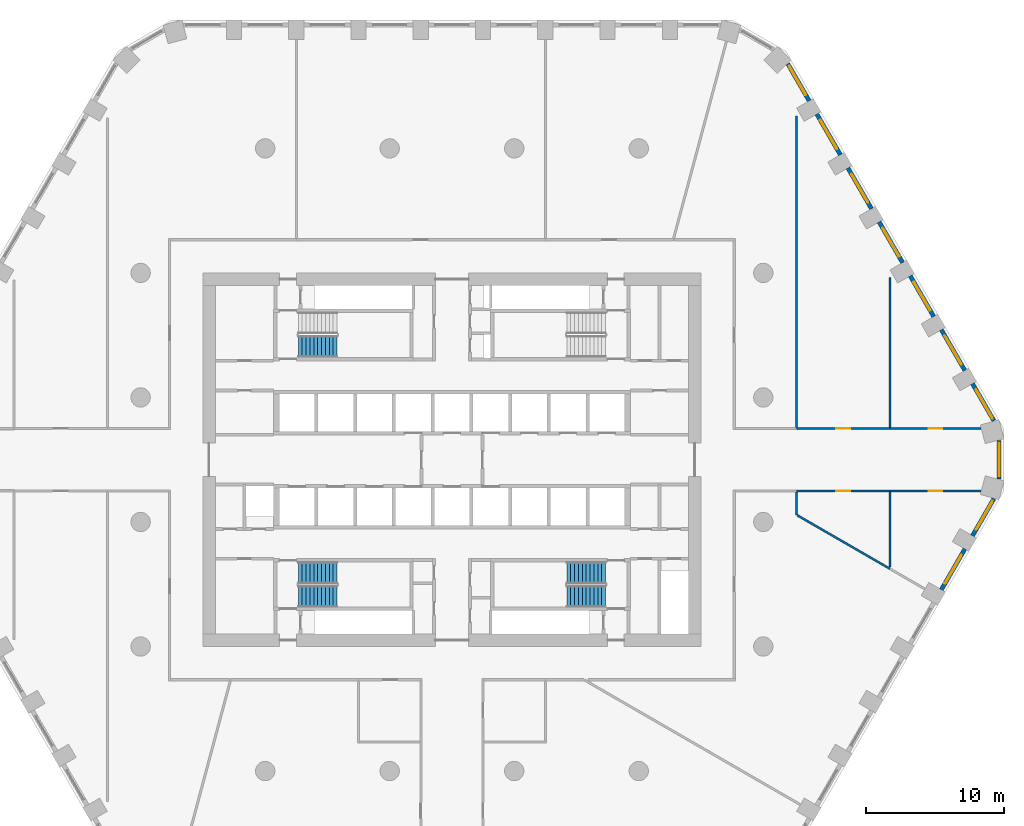
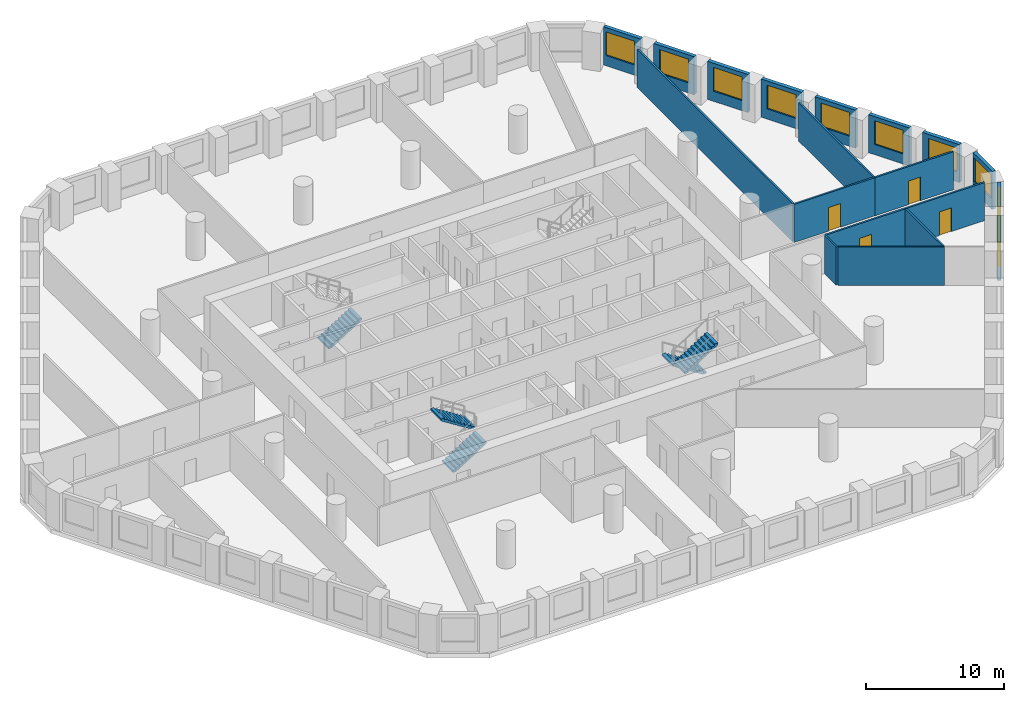
# One storey, part 8 of 10: 19 walls, 10 windows, 5 stair flights, 4 doors, 14 openings, 3 elements without a shape of their own.
"""IFC4 building model written with IfcOpenShell, lengths in metres."""

from ifc_helpers import new_model, si_unit, direction, frame, frame_2d, origin, place, context, subcontext, project, spatial, polyline, rectangle, outline, extrude, material, layer, layer_set, type_object, element, fill, aggregate, save


model = new_model("IFC4")

# Units and contexts
model_context = context("Model", 3, precision=1e-05, world=origin(), true_north=direction((0.0, 1.0)))
body_context = subcontext(model_context, "Body", "Model", "MODEL_VIEW")
ifc_project = project(units=[si_unit("LENGTHUNIT", "METRE"), si_unit("AREAUNIT", "SQUARE_METRE"), si_unit("VOLUMEUNIT", "CUBIC_METRE"), si_unit("PLANEANGLEUNIT", "RADIAN"), si_unit("MASSUNIT", "GRAM", prefix="KILO")], contexts=[model_context])

# Site, building, storey
site_placement = place(None, origin())
site = spatial("IfcSite", under=ifc_project, at=site_placement, CompositionType="ELEMENT")
building_placement = place(site_placement, origin())
building = spatial("IfcBuilding", under=site, at=building_placement, Name="Dhurran Vertical Campus", CompositionType="ELEMENT")
storey_placement = place(building_placement, frame((0.0, 0.0, 72.89990234375)))
storey = spatial("IfcBuildingStorey", under=building, at=storey_placement, Name="L17", CompositionType="ELEMENT", Elevation=72.89990234375)

# Wall, opening, window
ifc_material_1 = material(Name="Precast concrete C50/60", Category="concrete")
ifc_layer_1 = layer(ifc_material_1, 0.300048828125)
ifc_layer_set_1 = layer_set([ifc_layer_1], Name="Precast concrete C50/60")
wall_type_1 = type_object("IfcWallType", Name="Precast spandrel wall 300", PredefinedType="SOLIDWALL", material=ifc_layer_set_1)
wall_1_placement = place(storey_placement, frame((35.369384765625, -9.392578125, 0.0), z_axis=(0.0, 0.0, 1.0), x_axis=(0.499993955907, 0.866028893315, 0.0)))
wall_1 = element("IfcWall", 1, at=wall_1_placement, inside=storey, type_object=wall_type_1, Name="EW1 L17.15", PredefinedType="SOLIDWALL", context=body_context, shape_type="SweptSolid", body=[
    extrude(rectangle(XDim=3.39892578125, YDim=0.300048828125, at=frame_2d((1.699462890625, 0.0))), origin(), (0.0, 0.0, 1.0), 3.375),
])
opening_1_placement = place(wall_1_placement, frame((0.49951171875, 0.0, 0.89990234375)))
opening_1 = element("IfcOpeningElement", 2, at=opening_1_placement, cuts=wall_1, Name="Opening WT1", PredefinedType="OPENING", context=body_context, shape_type="SweptSolid", body=[
    extrude(rectangle(XDim=2.39990234375, YDim=2.10009765625, at=frame_2d((1.199951171875, 1.050048828125))), frame((0.0, 0.159912109375, 0.0), z_axis=(0.0, -1.0, 0.0), x_axis=(1.0, 0.0, 0.0)), (0.0, 0.0, 1.0), 0.320068359375),
])
ifc_material_2 = material(Name="Aluminium frame with solar-control glass", Category="aluminium")
window_type = type_object("IfcWindowType", Name="Punched window 2400 x 2100", PartitioningType="SINGLE_PANEL", PredefinedType="WINDOW", material=ifc_material_2)
window_1_placement = place(opening_1_placement, origin())
window_1 = element("IfcWindow", 3, at=window_1_placement, inside=storey, type_object=window_type, Name="WT1 L17.15", OverallHeight=2.10009765625, OverallWidth=2.39990234375, PartitioningType="SINGLE_PANEL", PredefinedType="WINDOW", context=body_context, shape_type="SweptSolid", body=[
    extrude(rectangle(XDim=2.39990234375, YDim=2.10009765625, at=frame_2d((1.199951171875, 1.050048828125))), frame((0.0, 0.030029296875, 0.0), z_axis=(0.0, -1.0, 0.0), x_axis=(1.0, 0.0, 0.0)), (0.0, 0.0, 1.0), 0.06005859375),
])
fill(opening_1, window_1)

wall_2_placement = place(storey_placement, frame((37.619384765625, -5.495361328125, 0.0), z_axis=(0.0, 0.0, 1.0), x_axis=(0.49997090907, 0.866042198789, 0.0)))
wall_2 = element("IfcWall", 4, at=wall_2_placement, inside=storey, type_object=wall_type_1, Name="EW1 L17.16", PredefinedType="SOLIDWALL", context=body_context, shape_type="SweptSolid", body=[
    extrude(rectangle(XDim=3.090576171875, YDim=0.300048828125, at=frame_2d((1.54541015625, 0.0))), origin(), (0.0, 0.0, 1.0), 3.375),
])
opening_2_placement = place(wall_2_placement, frame((0.49951171875, 0.0, 0.89990234375)))
opening_2 = element("IfcOpeningElement", 5, at=opening_2_placement, cuts=wall_2, Name="Opening WT1", PredefinedType="OPENING", context=body_context, shape_type="SweptSolid", body=[
    extrude(rectangle(XDim=2.39990234375, YDim=2.10009765625, at=frame_2d((1.199951171875, 1.050048828125))), frame((0.0, 0.159912109375, 0.0), z_axis=(0.0, -1.0, 0.0), x_axis=(1.0, 0.0, 0.0)), (0.0, 0.0, 1.0), 0.320068359375),
])
window_2_placement = place(opening_2_placement, origin())
window_2 = element("IfcWindow", 6, at=window_2_placement, inside=storey, type_object=window_type, Name="WT1 L17.16", OverallHeight=2.10009765625, OverallWidth=2.39990234375, PartitioningType="SINGLE_PANEL", PredefinedType="WINDOW", context=body_context, shape_type="SweptSolid", body=[
    extrude(rectangle(XDim=2.39990234375, YDim=2.10009765625, at=frame_2d((1.199951171875, 1.050048828125))), frame((0.0, 0.030029296875, 0.0), z_axis=(0.0, -1.0, 0.0), x_axis=(1.0, 0.0, 0.0)), (0.0, 0.0, 1.0), 0.06005859375),
])
fill(opening_2, window_2)

wall_3_placement = place(storey_placement, frame((39.547119140625, -1.39111328125, 0.0), z_axis=(0.0, 0.0, 1.0), x_axis=(0.0, 1.0, 0.0)))
wall_3 = element("IfcWall", 7, at=wall_3_placement, inside=storey, type_object=wall_type_1, Name="EW1 L17.17", PredefinedType="SOLIDWALL", context=body_context, shape_type="SweptSolid", body=[
    extrude(rectangle(XDim=2.7822265625, YDim=0.300048828125, at=frame_2d((1.39111328125, 0.0))), origin(), (0.0, 0.0, 1.0), 3.375),
])
opening_3_placement = place(wall_3_placement, frame((0.191162109375, 0.0, 0.89990234375)))
opening_3 = element("IfcOpeningElement", 8, at=opening_3_placement, cuts=wall_3, Name="Opening WT1", PredefinedType="OPENING", context=body_context, shape_type="SweptSolid", body=[
    extrude(rectangle(XDim=2.39990234375, YDim=2.10009765625, at=frame_2d((1.199951171875, 1.050048828125))), frame((0.0, 0.159912109375, 0.0), z_axis=(0.0, -1.0, 0.0), x_axis=(1.0, 0.0, 0.0)), (0.0, 0.0, 1.0), 0.320068359375),
])
window_3_placement = place(opening_3_placement, origin())
window_3 = element("IfcWindow", 9, at=window_3_placement, inside=storey, type_object=window_type, Name="WT1 L17.17", OverallHeight=2.10009765625, OverallWidth=2.39990234375, PartitioningType="SINGLE_PANEL", PredefinedType="WINDOW", context=body_context, shape_type="SweptSolid", body=[
    extrude(rectangle(XDim=2.39990234375, YDim=2.10009765625, at=frame_2d((1.199951171875, 1.050048828125))), frame((0.0, 0.030029296875, 0.0), z_axis=(0.0, -1.0, 0.0), x_axis=(1.0, 0.0, 0.0)), (0.0, 0.0, 1.0), 0.06005859375),
])
fill(opening_3, window_3)

wall_4_placement = place(storey_placement, frame((39.16455078125, 2.81884765625, 0.0), z_axis=(0.0, 0.0, 1.0), x_axis=(-0.49997090907, 0.866042198789, 0.0)))
wall_4 = element("IfcWall", 10, at=wall_4_placement, inside=storey, type_object=wall_type_1, Name="EW1 L17.18", PredefinedType="SOLIDWALL", context=body_context, shape_type="SweptSolid", body=[
    extrude(rectangle(XDim=3.090576171875, YDim=0.300048828125, at=frame_2d((1.54541015625, 0.0))), origin(), (0.0, 0.0, 1.0), 3.375),
])
opening_4_placement = place(wall_4_placement, frame((0.19091796875, 0.0, 0.89990234375)))
opening_4 = element("IfcOpeningElement", 11, at=opening_4_placement, cuts=wall_4, Name="Opening WT1", PredefinedType="OPENING", context=body_context, shape_type="SweptSolid", body=[
    extrude(rectangle(XDim=2.39990234375, YDim=2.10009765625, at=frame_2d((1.199951171875, 1.050048828125))), frame((0.0, 0.159912109375, 0.0), z_axis=(0.0, -1.0, 0.0), x_axis=(1.0, 0.0, 0.0)), (0.0, 0.0, 1.0), 0.320068359375),
])
window_4_placement = place(opening_4_placement, origin())
window_4 = element("IfcWindow", 12, at=window_4_placement, inside=storey, type_object=window_type, Name="WT1 L17.18", OverallHeight=2.10009765625, OverallWidth=2.39990234375, PartitioningType="SINGLE_PANEL", PredefinedType="WINDOW", context=body_context, shape_type="SweptSolid", body=[
    extrude(rectangle(XDim=2.39990234375, YDim=2.10009765625, at=frame_2d((1.199951171875, 1.050048828125))), frame((0.0, 0.030029296875, 0.0), z_axis=(0.0, -1.0, 0.0), x_axis=(1.0, 0.0, 0.0)), (0.0, 0.0, 1.0), 0.06005859375),
])
fill(opening_4, window_4)

wall_5_placement = place(storey_placement, frame((37.06884765625, 6.448974609375, 0.0), z_axis=(0.0, 0.0, 1.0), x_axis=(-0.499993955907, 0.866028893315, 0.0)))
wall_5 = element("IfcWall", 13, at=wall_5_placement, inside=storey, type_object=wall_type_1, Name="EW1 L17.19", PredefinedType="SOLIDWALL", context=body_context, shape_type="SweptSolid", body=[
    extrude(rectangle(XDim=3.39892578125, YDim=0.300048828125, at=frame_2d((1.699462890625, 0.0))), origin(), (0.0, 0.0, 1.0), 3.375),
])
opening_5_placement = place(wall_5_placement, frame((0.49951171875, 0.0, 0.89990234375)))
opening_5 = element("IfcOpeningElement", 14, at=opening_5_placement, cuts=wall_5, Name="Opening WT1", PredefinedType="OPENING", context=body_context, shape_type="SweptSolid", body=[
    extrude(rectangle(XDim=2.39990234375, YDim=2.10009765625, at=frame_2d((1.199951171875, 1.050048828125))), frame((0.0, 0.159912109375, 0.0), z_axis=(0.0, -1.0, 0.0), x_axis=(1.0, 0.0, 0.0)), (0.0, 0.0, 1.0), 0.320068359375),
])
window_5_placement = place(opening_5_placement, origin())
window_5 = element("IfcWindow", 15, at=window_5_placement, inside=storey, type_object=window_type, Name="WT1 L17.19", OverallHeight=2.10009765625, OverallWidth=2.39990234375, PartitioningType="SINGLE_PANEL", PredefinedType="WINDOW", context=body_context, shape_type="SweptSolid", body=[
    extrude(rectangle(XDim=2.39990234375, YDim=2.10009765625, at=frame_2d((1.199951171875, 1.050048828125))), frame((0.0, 0.030029296875, 0.0), z_axis=(0.0, -1.0, 0.0), x_axis=(1.0, 0.0, 0.0)), (0.0, 0.0, 1.0), 0.06005859375),
])
fill(opening_5, window_5)

wall_6_placement = place(storey_placement, frame((34.81884765625, 10.345947265625, 0.0), z_axis=(0.0, 0.0, 1.0), x_axis=(-0.499993955907, 0.866028893315, 0.0)))
wall_6 = element("IfcWall", 16, at=wall_6_placement, inside=storey, type_object=wall_type_1, Name="EW1 L17.20", PredefinedType="SOLIDWALL", context=body_context, shape_type="SweptSolid", body=[
    extrude(rectangle(XDim=3.39892578125, YDim=0.300048828125, at=frame_2d((1.699462890625, 0.0))), origin(), (0.0, 0.0, 1.0), 3.375),
])
opening_6_placement = place(wall_6_placement, frame((0.49951171875, 0.0, 0.89990234375)))
opening_6 = element("IfcOpeningElement", 17, at=opening_6_placement, cuts=wall_6, Name="Opening WT1", PredefinedType="OPENING", context=body_context, shape_type="SweptSolid", body=[
    extrude(rectangle(XDim=2.39990234375, YDim=2.10009765625, at=frame_2d((1.199951171875, 1.050048828125))), frame((0.0, 0.159912109375, 0.0), z_axis=(0.0, -1.0, 0.0), x_axis=(1.0, 0.0, 0.0)), (0.0, 0.0, 1.0), 0.320068359375),
])
window_6_placement = place(opening_6_placement, origin())
window_6 = element("IfcWindow", 18, at=window_6_placement, inside=storey, type_object=window_type, Name="WT1 L17.20", OverallHeight=2.10009765625, OverallWidth=2.39990234375, PartitioningType="SINGLE_PANEL", PredefinedType="WINDOW", context=body_context, shape_type="SweptSolid", body=[
    extrude(rectangle(XDim=2.39990234375, YDim=2.10009765625, at=frame_2d((1.199951171875, 1.050048828125))), frame((0.0, 0.030029296875, 0.0), z_axis=(0.0, -1.0, 0.0), x_axis=(1.0, 0.0, 0.0)), (0.0, 0.0, 1.0), 0.06005859375),
])
fill(opening_6, window_6)

wall_7_placement = place(storey_placement, frame((32.56884765625, 14.2431640625, 0.0), z_axis=(0.0, 0.0, 1.0), x_axis=(-0.499993955907, 0.866028893315, 0.0)))
wall_7 = element("IfcWall", 19, at=wall_7_placement, inside=storey, type_object=wall_type_1, Name="EW1 L17.21", PredefinedType="SOLIDWALL", context=body_context, shape_type="SweptSolid", body=[
    extrude(rectangle(XDim=3.39892578125, YDim=0.300048828125, at=frame_2d((1.699462890625, 0.0))), origin(), (0.0, 0.0, 1.0), 3.375),
])
opening_7_placement = place(wall_7_placement, frame((0.49951171875, 0.0, 0.89990234375)))
opening_7 = element("IfcOpeningElement", 20, at=opening_7_placement, cuts=wall_7, Name="Opening WT1", PredefinedType="OPENING", context=body_context, shape_type="SweptSolid", body=[
    extrude(rectangle(XDim=2.39990234375, YDim=2.10009765625, at=frame_2d((1.199951171875, 1.050048828125))), frame((0.0, 0.159912109375, 0.0), z_axis=(0.0, -1.0, 0.0), x_axis=(1.0, 0.0, 0.0)), (0.0, 0.0, 1.0), 0.320068359375),
])
window_7_placement = place(opening_7_placement, origin())
window_7 = element("IfcWindow", 21, at=window_7_placement, inside=storey, type_object=window_type, Name="WT1 L17.21", OverallHeight=2.10009765625, OverallWidth=2.39990234375, PartitioningType="SINGLE_PANEL", PredefinedType="WINDOW", context=body_context, shape_type="SweptSolid", body=[
    extrude(rectangle(XDim=2.39990234375, YDim=2.10009765625, at=frame_2d((1.199951171875, 1.050048828125))), frame((0.0, 0.030029296875, 0.0), z_axis=(0.0, -1.0, 0.0), x_axis=(1.0, 0.0, 0.0)), (0.0, 0.0, 1.0), 0.06005859375),
])
fill(opening_7, window_7)

wall_8_placement = place(storey_placement, frame((30.31884765625, 18.14013671875, 0.0), z_axis=(0.0, 0.0, 1.0), x_axis=(-0.499993955907, 0.866028893315, 0.0)))
wall_8 = element("IfcWall", 22, at=wall_8_placement, inside=storey, type_object=wall_type_1, Name="EW1 L17.22", PredefinedType="SOLIDWALL", context=body_context, shape_type="SweptSolid", body=[
    extrude(rectangle(XDim=3.39892578125, YDim=0.300048828125, at=frame_2d((1.699462890625, 0.0))), origin(), (0.0, 0.0, 1.0), 3.375),
])
opening_8_placement = place(wall_8_placement, frame((0.49951171875, 0.0, 0.89990234375)))
opening_8 = element("IfcOpeningElement", 23, at=opening_8_placement, cuts=wall_8, Name="Opening WT1", PredefinedType="OPENING", context=body_context, shape_type="SweptSolid", body=[
    extrude(rectangle(XDim=2.39990234375, YDim=2.10009765625, at=frame_2d((1.199951171875, 1.050048828125))), frame((0.0, 0.159912109375, 0.0), z_axis=(0.0, -1.0, 0.0), x_axis=(1.0, 0.0, 0.0)), (0.0, 0.0, 1.0), 0.320068359375),
])
window_8_placement = place(opening_8_placement, origin())
window_8 = element("IfcWindow", 24, at=window_8_placement, inside=storey, type_object=window_type, Name="WT1 L17.22", OverallHeight=2.10009765625, OverallWidth=2.39990234375, PartitioningType="SINGLE_PANEL", PredefinedType="WINDOW", context=body_context, shape_type="SweptSolid", body=[
    extrude(rectangle(XDim=2.39990234375, YDim=2.10009765625, at=frame_2d((1.199951171875, 1.050048828125))), frame((0.0, 0.030029296875, 0.0), z_axis=(0.0, -1.0, 0.0), x_axis=(1.0, 0.0, 0.0)), (0.0, 0.0, 1.0), 0.06005859375),
])
fill(opening_8, window_8)

wall_9_placement = place(storey_placement, frame((28.06884765625, 22.037353515625, 0.0), z_axis=(0.0, 0.0, 1.0), x_axis=(-0.499993955907, 0.866028893315, 0.0)))
wall_9 = element("IfcWall", 25, at=wall_9_placement, inside=storey, type_object=wall_type_1, Name="EW1 L17.23", PredefinedType="SOLIDWALL", context=body_context, shape_type="SweptSolid", body=[
    extrude(rectangle(XDim=3.39892578125, YDim=0.300048828125, at=frame_2d((1.699462890625, 0.0))), origin(), (0.0, 0.0, 1.0), 3.375),
])
opening_9_placement = place(wall_9_placement, frame((0.49951171875, 0.0, 0.89990234375)))
opening_9 = element("IfcOpeningElement", 26, at=opening_9_placement, cuts=wall_9, Name="Opening WT1", PredefinedType="OPENING", context=body_context, shape_type="SweptSolid", body=[
    extrude(rectangle(XDim=2.39990234375, YDim=2.10009765625, at=frame_2d((1.199951171875, 1.050048828125))), frame((0.0, 0.159912109375, 0.0), z_axis=(0.0, -1.0, 0.0), x_axis=(1.0, 0.0, 0.0)), (0.0, 0.0, 1.0), 0.320068359375),
])
window_9_placement = place(opening_9_placement, origin())
window_9 = element("IfcWindow", 27, at=window_9_placement, inside=storey, type_object=window_type, Name="WT1 L17.23", OverallHeight=2.10009765625, OverallWidth=2.39990234375, PartitioningType="SINGLE_PANEL", PredefinedType="WINDOW", context=body_context, shape_type="SweptSolid", body=[
    extrude(rectangle(XDim=2.39990234375, YDim=2.10009765625, at=frame_2d((1.199951171875, 1.050048828125))), frame((0.0, 0.030029296875, 0.0), z_axis=(0.0, -1.0, 0.0), x_axis=(1.0, 0.0, 0.0)), (0.0, 0.0, 1.0), 0.06005859375),
])
fill(opening_9, window_9)

wall_10_placement = place(storey_placement, frame((25.81884765625, 25.934326171875, 0.0), z_axis=(0.0, 0.0, 1.0), x_axis=(-0.499995950774, 0.866027741594, 0.0)))
wall_10 = element("IfcWall", 28, at=wall_10_placement, inside=storey, type_object=wall_type_1, Name="EW1 L17.24", PredefinedType="SOLIDWALL", context=body_context, shape_type="SweptSolid", body=[
    extrude(rectangle(XDim=3.0908203125, YDim=0.300048828125, at=frame_2d((1.54541015625, 0.0))), origin(), (0.0, 0.0, 1.0), 3.375),
])
opening_10_placement = place(wall_10_placement, frame((0.49951171875, 0.0, 0.89990234375)))
opening_10 = element("IfcOpeningElement", 29, at=opening_10_placement, cuts=wall_10, Name="Opening WT1", PredefinedType="OPENING", context=body_context, shape_type="SweptSolid", body=[
    extrude(rectangle(XDim=2.39990234375, YDim=2.10009765625, at=frame_2d((1.199951171875, 1.050048828125))), frame((0.0, 0.159912109375, 0.0), z_axis=(0.0, -1.0, 0.0), x_axis=(1.0, 0.0, 0.0)), (0.0, 0.0, 1.0), 0.320068359375),
])
window_10_placement = place(opening_10_placement, origin())
window_10 = element("IfcWindow", 30, at=window_10_placement, inside=storey, type_object=window_type, Name="WT1 L17.24", OverallHeight=2.10009765625, OverallWidth=2.39990234375, PartitioningType="SINGLE_PANEL", PredefinedType="WINDOW", context=body_context, shape_type="SweptSolid", body=[
    extrude(rectangle(XDim=2.39990234375, YDim=2.10009765625, at=frame_2d((1.199951171875, 1.050048828125))), frame((0.0, 0.030029296875, 0.0), z_axis=(0.0, -1.0, 0.0), x_axis=(1.0, 0.0, 0.0)), (0.0, 0.0, 1.0), 0.06005859375),
])
fill(opening_10, window_10)

# Wall, opening, door
ifc_material_3 = material(Name="Gypsum board corridor wall on steel studs", Category="steel")
ifc_layer_2 = layer(ifc_material_3, 0.14990234375)
ifc_layer_set_2 = layer_set([ifc_layer_2], Name="Gypsum board corridor wall on steel studs")
wall_type_2 = type_object("IfcWallType", Name="fl-CW-150 corridor wall", PredefinedType="PARTITIONING", material=ifc_layer_set_2)
wall_11_placement = place(storey_placement, frame((31.64990234375, -2.25, 0.0), z_axis=(0.0, 0.0, 1.0), x_axis=(-1.0, 0.0, 0.0)))
wall_11 = element("IfcWall", 31, at=wall_11_placement, inside=storey, type_object=wall_type_2, Name="Partition 17-42", PredefinedType="PARTITIONING", context=body_context, shape_type="SweptSolid", body=[
    extrude(rectangle(XDim=6.75, YDim=0.14990234375, at=frame_2d((3.375, 0.0))), origin(), (0.0, 0.0, 1.0), 3.375),
])
opening_11_placement = place(wall_11_placement, frame((2.875, 0.0, 0.0)))
opening_11 = element("IfcOpeningElement", 32, at=opening_11_placement, cuts=wall_11, Name="Opening T04.16", PredefinedType="OPENING", context=body_context, shape_type="SweptSolid", body=[
    extrude(rectangle(XDim=1.0, YDim=2.10009765625, at=frame_2d((0.5, 1.050048828125))), frame((0.0, 0.0849609375, 0.0), z_axis=(0.0, -1.0, 0.0), x_axis=(1.0, 0.0, 0.0)), (0.0, 0.0, 1.0), 0.169921875),
])
ifc_material_4 = material(Name="Solid-core timber door set, fire-rated", Category="wood")
door_type = type_object("IfcDoorType", Name="fl-D-1000x2100", OperationType="SINGLE_SWING_LEFT", PredefinedType="DOOR", material=ifc_material_4)
door_1_placement = place(opening_11_placement, origin())
door_1 = element("IfcDoor", 33, at=door_1_placement, inside=storey, type_object=door_type, Name="Door 17.16", OperationType="SINGLE_SWING_LEFT", OverallHeight=2.10009765625, OverallWidth=1.0, PredefinedType="DOOR", context=body_context, shape_type="SweptSolid", body=[
    extrude(rectangle(XDim=1.0, YDim=2.10009765625, at=frame_2d((0.5, 1.050048828125))), frame((0.0, 0.02490234375, 0.0), z_axis=(0.0, -1.0, 0.0), x_axis=(1.0, 0.0, 0.0)), (0.0, 0.0, 1.0), 0.050048828125),
])
fill(opening_11, door_1)

wall_12_placement = place(storey_placement, frame((24.89990234375, 2.25, 0.0), z_axis=(0.0, 0.0, 1.0), x_axis=(1.0, 0.0, 0.0)))
wall_12 = element("IfcWall", 34, at=wall_12_placement, inside=storey, type_object=wall_type_2, Name="Partition 17-44", PredefinedType="PARTITIONING", context=body_context, shape_type="SweptSolid", body=[
    extrude(rectangle(XDim=6.75, YDim=0.14990234375, at=frame_2d((3.375, 0.0))), origin(), (0.0, 0.0, 1.0), 3.375),
])
opening_12_placement = place(wall_12_placement, frame((2.875, 0.0, 0.0)))
opening_12 = element("IfcOpeningElement", 35, at=opening_12_placement, cuts=wall_12, Name="Opening T04.15", PredefinedType="OPENING", context=body_context, shape_type="SweptSolid", body=[
    extrude(rectangle(XDim=1.0, YDim=2.10009765625, at=frame_2d((0.5, 1.050048828125))), frame((0.0, 0.0849609375, 0.0), z_axis=(0.0, -1.0, 0.0), x_axis=(1.0, 0.0, 0.0)), (0.0, 0.0, 1.0), 0.169921875),
])
door_2_placement = place(opening_12_placement, origin())
door_2 = element("IfcDoor", 36, at=door_2_placement, inside=storey, type_object=door_type, Name="Door 17.15", OperationType="SINGLE_SWING_RIGHT", OverallHeight=2.10009765625, OverallWidth=1.0, PredefinedType="DOOR", context=body_context, shape_type="SweptSolid", body=[
    extrude(rectangle(XDim=1.0, YDim=2.10009765625, at=frame_2d((0.5, 1.050048828125))), frame((0.0, 0.02490234375, 0.0), z_axis=(0.0, -1.0, 0.0), x_axis=(1.0, 0.0, 0.0)), (0.0, 0.0, 1.0), 0.050048828125),
])
fill(opening_12, door_2)

wall_13_placement = place(storey_placement, frame((38.23291015625, -2.25, 0.0), z_axis=(0.0, 0.0, 1.0), x_axis=(-1.0, 0.0, 0.0)))
wall_13 = element("IfcWall", 37, at=wall_13_placement, inside=storey, type_object=wall_type_2, Name="Partition 17-47", PredefinedType="PARTITIONING", context=body_context, shape_type="SweptSolid", body=[
    extrude(rectangle(XDim=6.5830078125, YDim=0.14990234375, at=frame_2d((3.29150390625, 0.0))), origin(), (0.0, 0.0, 1.0), 3.375),
])
opening_13_placement = place(wall_13_placement, frame((2.79150390625, 0.0, 0.0)))
opening_13 = element("IfcOpeningElement", 38, at=opening_13_placement, cuts=wall_13, Name="Opening T04.18", PredefinedType="OPENING", context=body_context, shape_type="SweptSolid", body=[
    extrude(rectangle(XDim=1.0, YDim=2.10009765625, at=frame_2d((0.5, 1.050048828125))), frame((0.0, 0.0849609375, 0.0), z_axis=(0.0, -1.0, 0.0), x_axis=(1.0, 0.0, 0.0)), (0.0, 0.0, 1.0), 0.169921875),
])
door_3_placement = place(opening_13_placement, origin())
door_3 = element("IfcDoor", 39, at=door_3_placement, inside=storey, type_object=door_type, Name="Door 17.18", OperationType="SINGLE_SWING_LEFT", OverallHeight=2.10009765625, OverallWidth=1.0, PredefinedType="DOOR", context=body_context, shape_type="SweptSolid", body=[
    extrude(rectangle(XDim=1.0, YDim=2.10009765625, at=frame_2d((0.5, 1.050048828125))), frame((0.0, 0.02490234375, 0.0), z_axis=(0.0, -1.0, 0.0), x_axis=(1.0, 0.0, 0.0)), (0.0, 0.0, 1.0), 0.050048828125),
])
fill(opening_13, door_3)

wall_14_placement = place(storey_placement, frame((31.64990234375, 2.25, 0.0), z_axis=(0.0, 0.0, 1.0), x_axis=(1.0, 0.0, 0.0)))
wall_14 = element("IfcWall", 40, at=wall_14_placement, inside=storey, type_object=wall_type_2, Name="Partition 17-49", PredefinedType="PARTITIONING", context=body_context, shape_type="SweptSolid", body=[
    extrude(rectangle(XDim=6.5830078125, YDim=0.14990234375, at=frame_2d((3.29150390625, 0.0))), origin(), (0.0, 0.0, 1.0), 3.375),
])
opening_14_placement = place(wall_14_placement, frame((2.79150390625, 0.0, 0.0)))
opening_14 = element("IfcOpeningElement", 41, at=opening_14_placement, cuts=wall_14, Name="Opening T04.17", PredefinedType="OPENING", context=body_context, shape_type="SweptSolid", body=[
    extrude(rectangle(XDim=1.0, YDim=2.10009765625, at=frame_2d((0.5, 1.050048828125))), frame((0.0, 0.0849609375, 0.0), z_axis=(0.0, -1.0, 0.0), x_axis=(1.0, 0.0, 0.0)), (0.0, 0.0, 1.0), 0.169921875),
])
door_4_placement = place(opening_14_placement, origin())
door_4 = element("IfcDoor", 42, at=door_4_placement, inside=storey, type_object=door_type, Name="Door 17.17", OperationType="SINGLE_SWING_RIGHT", OverallHeight=2.10009765625, OverallWidth=1.0, PredefinedType="DOOR", context=body_context, shape_type="SweptSolid", body=[
    extrude(rectangle(XDim=1.0, YDim=2.10009765625, at=frame_2d((0.5, 1.050048828125))), frame((0.0, 0.02490234375, 0.0), z_axis=(0.0, -1.0, 0.0), x_axis=(1.0, 0.0, 0.0)), (0.0, 0.0, 1.0), 0.050048828125),
])
fill(opening_14, door_4)

# Walls
ifc_material_5 = material(Name="Folding acoustic partition panels")
ifc_layer_3 = layer(ifc_material_5, 0.14990234375)
ifc_layer_set_3 = layer_set([ifc_layer_3], Name="Folding acoustic partition panels")
wall_type_3 = type_object("IfcWallType", Name="fl-MW-150 movable partition", PredefinedType="MOVABLE", material=ifc_layer_set_3)
wall_15_placement = place(storey_placement, frame((31.64990234375, 13.152099609375, 0.0), z_axis=(0.0, 0.0, 1.0), x_axis=(0.0, -1.0, 0.0)))
element("IfcWall", 43, at=wall_15_placement, inside=storey, type_object=wall_type_3, Name="Partition 17-48", PredefinedType="MOVABLE", context=body_context, shape_type="SweptSolid", body=[
    extrude(rectangle(XDim=10.8271484375, YDim=0.14990234375, at=frame_2d((5.41357421875, 0.0))), origin(), (0.0, 0.0, 1.0), 3.375),
])
ifc_material_6 = material(Name="Gypsum board partition on steel studs", Category="steel")
ifc_layer_4 = layer(ifc_material_6, 0.14990234375)
ifc_layer_set_4 = layer_set([ifc_layer_4], Name="Gypsum board partition on steel studs")
wall_type_4 = type_object("IfcWallType", Name="fl-PW-150 fixed partition", PredefinedType="PARTITIONING", material=ifc_layer_set_4)
wall_16_placement = place(storey_placement, frame((24.89990234375, -2.324951171875, 0.0), z_axis=(0.0, 0.0, 1.0), x_axis=(0.0, -1.0, 0.0)))
element("IfcWall", 44, at=wall_16_placement, inside=storey, type_object=wall_type_4, Name="Partition 17-40", PredefinedType="PARTITIONING", context=body_context, shape_type="SweptSolid", body=[
    extrude(rectangle(XDim=1.68408203125, YDim=0.14990234375, at=frame_2d((0.842041015625, 0.0))), origin(), (0.0, 0.0, 1.0), 3.375),
])
wall_17_placement = place(storey_placement, frame((24.965087890625, -4.021484375, 0.0), z_axis=(0.0, 0.0, 1.0), x_axis=(0.866017566024, -0.500013575153, 0.0)))
element("IfcWall", 45, at=wall_17_placement, inside=storey, type_object=wall_type_4, Name="Partition 17-41", PredefinedType="PARTITIONING", context=body_context, shape_type="SweptSolid", body=[
    extrude(rectangle(XDim=7.718994140625, YDim=0.14990234375, at=frame_2d((3.859375, 0.0))), origin(), (0.0, 0.0, 1.0), 3.375),
])
wall_18_placement = place(storey_placement, frame((24.89990234375, 24.843017578125, 0.0), z_axis=(0.0, 0.0, 1.0), x_axis=(0.0, -1.0, 0.0)))
element("IfcWall", 46, at=wall_18_placement, inside=storey, type_object=wall_type_4, Name="Partition 17-43", PredefinedType="PARTITIONING", context=body_context, shape_type="SweptSolid", body=[
    extrude(rectangle(XDim=22.51806640625, YDim=0.14990234375, at=frame_2d((11.259033203125, 0.0))), origin(), (0.0, 0.0, 1.0), 3.375),
])
wall_19_placement = place(storey_placement, frame((31.64990234375, -2.324951171875, 0.0), z_axis=(0.0, 0.0, 1.0), x_axis=(0.0, -1.0, 0.0)))
element("IfcWall", 47, at=wall_19_placement, inside=storey, type_object=wall_type_4, Name="Partition 17-45", PredefinedType="PARTITIONING", context=body_context, shape_type="SweptSolid", body=[
    extrude(rectangle(XDim=5.426025390625, YDim=0.14990234375, at=frame_2d((2.712890625, 0.0))), origin(), (0.0, 0.0, 1.0), 3.375),
])

# Stair, stair flight
ifc_material_7 = material(Name="Concrete C40/50", Category="concrete")
stair_type = type_object("IfcStairType", Name="co-ST-CORE", PredefinedType="HALF_TURN_STAIR", material=ifc_material_7)
stair_1_placement = place(storey_placement, origin())
stair_1 = element("IfcStair", 48, at=stair_1_placement, inside=storey, type_object=stair_type, Name="L17 Protected exit stair ST1", PredefinedType="HALF_TURN_STAIR")
ifc_material_8 = material(Name="Concrete C40/50", Category="concrete")
stair_flight_type = type_object("IfcStairFlightType", Name="co-SFL-RC", PredefinedType="STRAIGHT", material=ifc_material_8)
stair_flight_1_placement = place(storey_placement, frame((-11.10009765625, 8.175048828125, 0.0), z_axis=(0.0, 0.0, 1.0), x_axis=(1.0, 0.0, 0.0)))
stair_flight_1 = element("IfcStairFlight", 49, at=stair_flight_1_placement, type_object=stair_flight_type, Name="ST1 flight 1", NumberOfRisers=11, NumberOfTreads=10, PredefinedType="STRAIGHT", RiserHeight=0.177272727, TreadLength=0.28, context=body_context, shape_type="SweptSolid", body=[
    extrude(outline(polyline([(0.0, 0.0), (0.0, 0.17724609375), (0.280029296875, 0.17724609375), (0.280029296875, 0.3544921875), (0.56005859375, 0.3544921875), (0.56005859375, 0.53173828125), (0.840087890625, 0.53173828125), (0.840087890625, 0.708984375), (1.1201171875, 0.708984375), (1.1201171875, 0.886474609375), (1.39990234375, 0.886474609375), (1.39990234375, 1.063720703125), (1.679931640625, 1.063720703125), (1.679931640625, 1.240966796875), (1.9599609375, 1.240966796875), (1.9599609375, 1.418212890625), (2.239990234375, 1.418212890625), (2.239990234375, 1.595458984375), (2.52001953125, 1.595458984375), (2.52001953125, 1.772705078125), (2.800048828125, 1.772705078125), (2.800048828125, 1.949951171875), (2.800048828125, 1.59521484375), (0.2802734375, 0.0), (0.0, 0.0)])), frame((0.0, 0.77490234375, 0.0), z_axis=(0.0, -1.0, 0.0), x_axis=(1.0, 0.0, 0.0)), (0.0, 0.0, 1.0), 1.550048828125),
])
aggregate(stair_1, [stair_flight_1])

# Stair, stair flights
stair_2_placement = place(storey_placement, origin())
stair_2 = element("IfcStair", 50, at=stair_2_placement, inside=storey, type_object=stair_type, Name="L17 Protected exit stair ST3", PredefinedType="HALF_TURN_STAIR")
stair_flight_2_placement = place(storey_placement, frame((-11.10009765625, -9.875, 0.0), z_axis=(0.0, 0.0, 1.0), x_axis=(1.0, 0.0, 0.0)))
stair_flight_2 = element("IfcStairFlight", 51, at=stair_flight_2_placement, type_object=stair_flight_type, Name="ST3 flight 1", NumberOfRisers=11, NumberOfTreads=10, PredefinedType="STRAIGHT", RiserHeight=0.177272727, TreadLength=0.28, context=body_context, shape_type="SweptSolid", body=[
    extrude(outline(polyline([(0.0, 0.0), (0.0, 0.17724609375), (0.280029296875, 0.17724609375), (0.280029296875, 0.3544921875), (0.56005859375, 0.3544921875), (0.56005859375, 0.53173828125), (0.840087890625, 0.53173828125), (0.840087890625, 0.708984375), (1.1201171875, 0.708984375), (1.1201171875, 0.886474609375), (1.39990234375, 0.886474609375), (1.39990234375, 1.063720703125), (1.679931640625, 1.063720703125), (1.679931640625, 1.240966796875), (1.9599609375, 1.240966796875), (1.9599609375, 1.418212890625), (2.239990234375, 1.418212890625), (2.239990234375, 1.595458984375), (2.52001953125, 1.595458984375), (2.52001953125, 1.772705078125), (2.800048828125, 1.772705078125), (2.800048828125, 1.949951171875), (2.800048828125, 1.59521484375), (0.2802734375, 0.0), (0.0, 0.0)])), frame((0.0, 0.77490234375, 0.0), z_axis=(0.0, -1.0, 0.0), x_axis=(1.0, 0.0, 0.0)), (0.0, 0.0, 1.0), 1.550048828125),
])
stair_flight_3_placement = place(storey_placement, frame((-8.300048828125, -8.175048828125, 1.9501953125), z_axis=(0.0, 0.0, 1.0), x_axis=(-1.0, 0.0, 0.0)))
stair_flight_3 = element("IfcStairFlight", 52, at=stair_flight_3_placement, type_object=stair_flight_type, Name="ST3 flight 2", NumberOfRisers=11, NumberOfTreads=10, PredefinedType="STRAIGHT", RiserHeight=0.177272727, TreadLength=0.28, context=body_context, shape_type="SweptSolid", body=[
    extrude(outline(polyline([(0.0, 0.0), (0.0, 0.17724609375), (0.280029296875, 0.17724609375), (0.280029296875, 0.3544921875), (0.56005859375, 0.3544921875), (0.56005859375, 0.53173828125), (0.840087890625, 0.53173828125), (0.840087890625, 0.708984375), (1.1201171875, 0.708984375), (1.1201171875, 0.886474609375), (1.39990234375, 0.886474609375), (1.39990234375, 1.063720703125), (1.679931640625, 1.063720703125), (1.679931640625, 1.240966796875), (1.9599609375, 1.240966796875), (1.9599609375, 1.418212890625), (2.239990234375, 1.418212890625), (2.239990234375, 1.595458984375), (2.52001953125, 1.595458984375), (2.52001953125, 1.772705078125), (2.800048828125, 1.772705078125), (2.800048828125, 1.949951171875), (2.800048828125, 1.59521484375), (0.2802734375, 0.0), (0.0, 0.0)])), frame((0.0, 0.77490234375, 0.0), z_axis=(0.0, -1.0, 0.0), x_axis=(1.0, 0.0, 0.0)), (0.0, 0.0, 1.0), 1.550048828125),
])
aggregate(stair_2, [stair_flight_2, stair_flight_3])

stair_3_placement = place(storey_placement, origin())
stair_3 = element("IfcStair", 53, at=stair_3_placement, inside=storey, type_object=stair_type, Name="L17 Protected exit stair ST4", PredefinedType="HALF_TURN_STAIR")
stair_flight_4_placement = place(storey_placement, frame((11.10009765625, -8.175048828125, 0.0), z_axis=(0.0, 0.0, 1.0), x_axis=(-1.0, 0.0, 0.0)))
stair_flight_4 = element("IfcStairFlight", 54, at=stair_flight_4_placement, type_object=stair_flight_type, Name="ST4 flight 1", NumberOfRisers=11, NumberOfTreads=10, PredefinedType="STRAIGHT", RiserHeight=0.177272727, TreadLength=0.28, context=body_context, shape_type="SweptSolid", body=[
    extrude(outline(polyline([(0.0, 0.0), (0.0, 0.17724609375), (0.280029296875, 0.17724609375), (0.280029296875, 0.3544921875), (0.56005859375, 0.3544921875), (0.56005859375, 0.53173828125), (0.840087890625, 0.53173828125), (0.840087890625, 0.708984375), (1.1201171875, 0.708984375), (1.1201171875, 0.886474609375), (1.39990234375, 0.886474609375), (1.39990234375, 1.063720703125), (1.679931640625, 1.063720703125), (1.679931640625, 1.240966796875), (1.9599609375, 1.240966796875), (1.9599609375, 1.418212890625), (2.239990234375, 1.418212890625), (2.239990234375, 1.595458984375), (2.52001953125, 1.595458984375), (2.52001953125, 1.772705078125), (2.800048828125, 1.772705078125), (2.800048828125, 1.949951171875), (2.800048828125, 1.59521484375), (0.2802734375, 0.0), (0.0, 0.0)])), frame((0.0, 0.77490234375, 0.0), z_axis=(0.0, -1.0, 0.0), x_axis=(1.0, 0.0, 0.0)), (0.0, 0.0, 1.0), 1.550048828125),
])
stair_flight_5_placement = place(storey_placement, frame((8.300048828125, -9.875, 1.9501953125), z_axis=(0.0, 0.0, 1.0), x_axis=(1.0, 0.0, 0.0)))
stair_flight_5 = element("IfcStairFlight", 55, at=stair_flight_5_placement, type_object=stair_flight_type, Name="ST4 flight 2", NumberOfRisers=11, NumberOfTreads=10, PredefinedType="STRAIGHT", RiserHeight=0.177272727, TreadLength=0.28, context=body_context, shape_type="SweptSolid", body=[
    extrude(outline(polyline([(0.0, 0.0), (0.0, 0.17724609375), (0.280029296875, 0.17724609375), (0.280029296875, 0.3544921875), (0.56005859375, 0.3544921875), (0.56005859375, 0.53173828125), (0.840087890625, 0.53173828125), (0.840087890625, 0.708984375), (1.1201171875, 0.708984375), (1.1201171875, 0.886474609375), (1.39990234375, 0.886474609375), (1.39990234375, 1.063720703125), (1.679931640625, 1.063720703125), (1.679931640625, 1.240966796875), (1.9599609375, 1.240966796875), (1.9599609375, 1.418212890625), (2.239990234375, 1.418212890625), (2.239990234375, 1.595458984375), (2.52001953125, 1.595458984375), (2.52001953125, 1.772705078125), (2.800048828125, 1.772705078125), (2.800048828125, 1.949951171875), (2.800048828125, 1.59521484375), (0.2802734375, 0.0), (0.0, 0.0)])), frame((0.0, 0.77490234375, 0.0), z_axis=(0.0, -1.0, 0.0), x_axis=(1.0, 0.0, 0.0)), (0.0, 0.0, 1.0), 1.550048828125),
])
aggregate(stair_3, [stair_flight_4, stair_flight_5])

save(model, "model.ifc")
